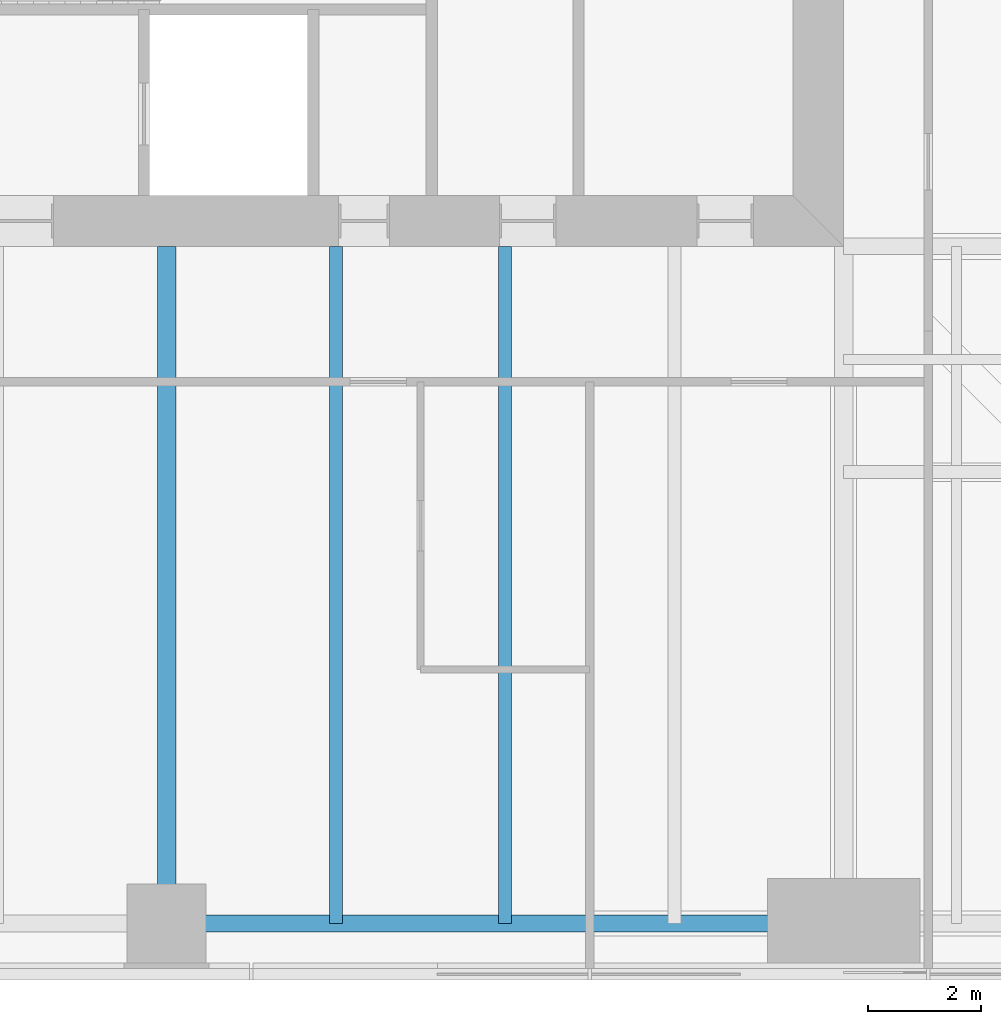
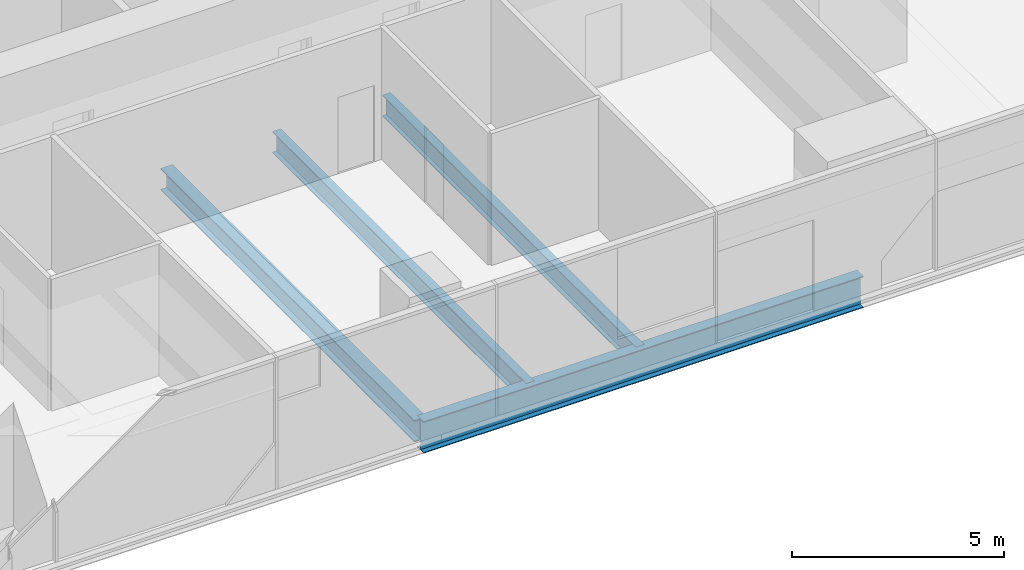
# One storey, part 3 of 14: 4 beams.
"""IFC4 building model written with IfcOpenShell, lengths in metres."""

from ifc_helpers import new_model, si_unit, direction, frame, origin, origin_2d, place, context, subcontext, project, spatial, i_section, extrude, material, material_profile, profile_set, type_object, element, save


model = new_model("IFC4")

# Units and contexts
model_context = context("Model", 3, precision=1e-05, world=origin(), true_north=direction((0.0, 1.0)))
body_context = subcontext(model_context, "Body", "Model", "MODEL_VIEW")
ifc_project = project(units=[si_unit("LENGTHUNIT", "METRE"), si_unit("AREAUNIT", "SQUARE_METRE"), si_unit("VOLUMEUNIT", "CUBIC_METRE"), si_unit("PLANEANGLEUNIT", "RADIAN"), si_unit("MASSUNIT", "GRAM", prefix="KILO")], contexts=[model_context])

# Site, building, storey
site_placement = place(None, origin())
site = spatial("IfcSite", under=ifc_project, at=site_placement, CompositionType="ELEMENT")
building_placement = place(site_placement, origin())
building = spatial("IfcBuilding", under=site, at=building_placement, Name="Fenwick Lantern Interchange", CompositionType="ELEMENT")
storey_placement = place(building_placement, frame((0.0, 0.0, 87.0)))
storey = spatial("IfcBuildingStorey", under=building, at=storey_placement, Name="L20", CompositionType="ELEMENT", Elevation=87.0)

# Beams
ifc_material = material(Name="Steel ASTM A992 Grade 50", Category="steel")
ifc_material_profile_1 = material_profile(ifc_material, i_section(OverallWidth=0.3046875, OverallDepth=0.911865234375, WebThickness=0.015869140625, FlangeThickness=0.02392578125, at=origin_2d()), Name="W36X150")
ifc_profile_set_1 = profile_set([ifc_material_profile_1], Name="Steel ASTM A992 Grade 50")
beam_type_1 = type_object("IfcBeamType", Name="EDGE BEAM W36X150", PredefinedType="SPANDREL", material=ifc_profile_set_1)
beam_1_placement = place(storey_placement, frame((25.0, 1.0, -0.60595703125), z_axis=(1.0, 0.0, 0.0), x_axis=(0.0, 1.0, 0.0)))
element("IfcBeam", 1, at=beam_1_placement, inside=storey, type_object=beam_type_1, Name="L20/FR/S/EB3", PredefinedType="SPANDREL", context=body_context, shape_type="SweptSolid", body=[
    extrude(i_section(OverallWidth=0.3046875, OverallDepth=0.911865234375, WebThickness=0.015869140625, FlangeThickness=0.02392578125, at=origin_2d()), origin(), (0.0, 0.0, 1.0), 12.0),
])
ifc_material_profile_2 = material_profile(ifc_material, i_section(OverallWidth=0.22900390625, OverallDepth=0.612060546875, WebThickness=0.011962890625, FlangeThickness=0.01953125, at=origin_2d()), Name="W24X84")
ifc_profile_set_2 = profile_set([ifc_material_profile_2], Name="Steel ASTM A992 Grade 50")
beam_type_2 = type_object("IfcBeamType", Name="FLOOR BEAM W24X84", PredefinedType="BEAM", material=ifc_profile_set_2)
for number, where, z_axis, x_axis, name in (
    (2, (28.0, 1.0, -0.4560546875), (0.0, 1.0, 0.0), (-1.0, 0.0, 0.0), "L20/FR/S/R06"),
    (3, (31.0, 1.0, -0.4560546875), (0.0, 1.0, 0.0), (-1.0, 0.0, 0.0), "L20/FR/S/R07"),
):
    element("IfcBeam", number, at=place(storey_placement, frame(where, z_axis=z_axis, x_axis=x_axis)), inside=storey, type_object=beam_type_2, Name=name, PredefinedType="BEAM", context=body_context, shape_type="SweptSolid", body=[
        extrude(i_section(OverallWidth=0.22900390625, OverallDepth=0.612060546875, WebThickness=0.011962890625, FlangeThickness=0.01953125, at=origin_2d()), origin(), (0.0, 0.0, 1.0), 12.0),
    ])
ifc_material_profile_3 = material_profile(ifc_material, i_section(OverallWidth=0.32763671875, OverallDepth=0.622314453125, WebThickness=0.015380859375, FlangeThickness=0.0244140625, at=origin_2d()), Name="W24X131")
ifc_profile_set_3 = profile_set([ifc_material_profile_3], Name="Steel ASTM A992 Grade 50")
beam_type_3 = type_object("IfcBeamType", Name="MOMENT-CONNECTED GIRDER W24X131", PredefinedType="BEAM", material=ifc_profile_set_3)
beam_2_placement = place(storey_placement, frame((25.0, 1.0, -0.461181640625), z_axis=(0.0, 1.0, 0.0), x_axis=(-1.0, 0.0, 0.0)))
element("IfcBeam", 4, at=beam_2_placement, inside=storey, type_object=beam_type_3, Name="L20/FR/S/R05", PredefinedType="BEAM", context=body_context, shape_type="SweptSolid", body=[
    extrude(i_section(OverallWidth=0.32763671875, OverallDepth=0.622314453125, WebThickness=0.015380859375, FlangeThickness=0.0244140625, at=origin_2d()), origin(), (0.0, 0.0, 1.0), 12.0),
])

save(model, "model.ifc")
